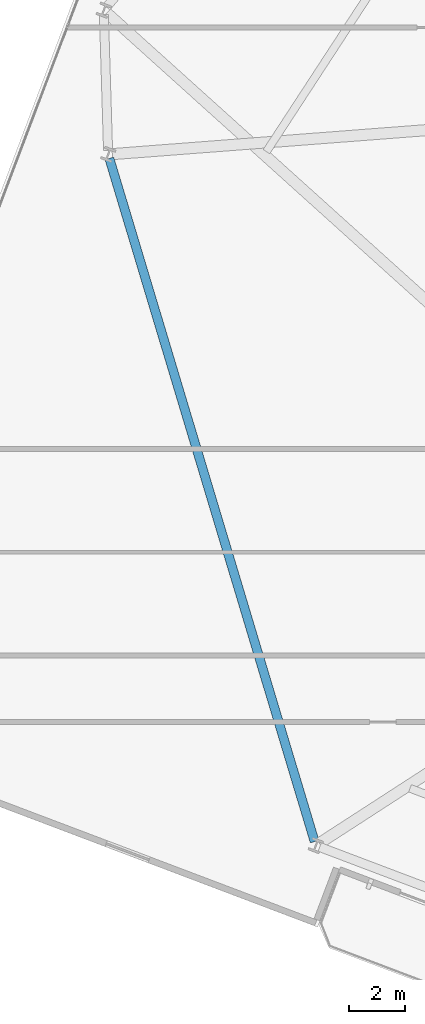
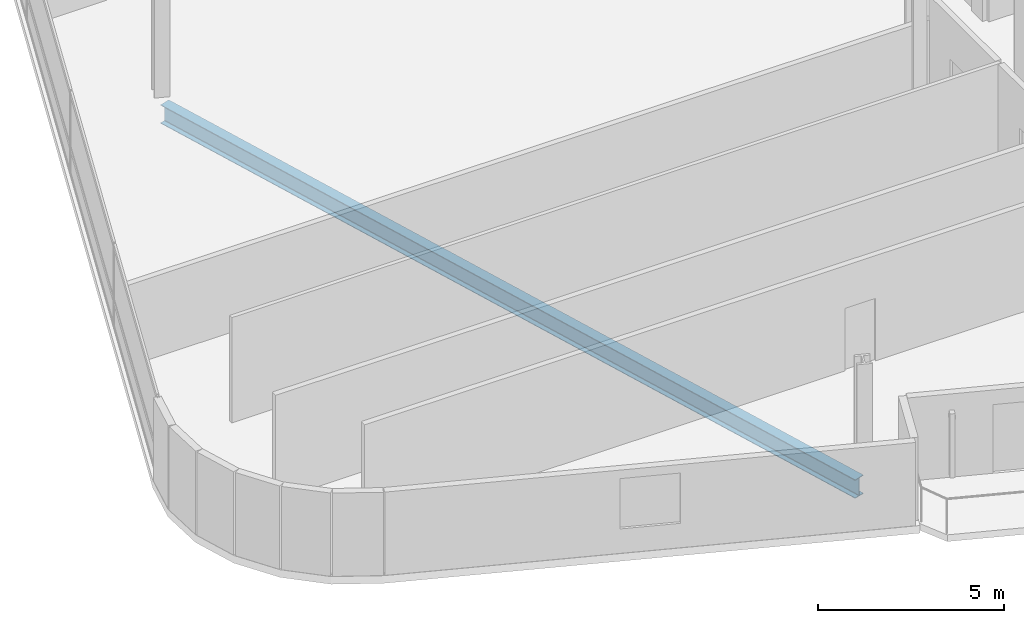
# One storey, part 5 of 24: 1 beam.
"""IFC4 building model written with IfcOpenShell, lengths in metres."""

from ifc_helpers import new_model, si_unit, direction, frame, origin, origin_2d, place, context, subcontext, project, spatial, i_section, extrude, material, material_profile, profile_set, type_object, element, save


model = new_model("IFC4")

# Units and contexts
model_context = context("Model", 3, precision=1e-05, world=origin(), true_north=direction((0.0, 1.0)))
body_context = subcontext(model_context, "Body", "Model", "MODEL_VIEW")
ifc_project = project(units=[si_unit("LENGTHUNIT", "METRE"), si_unit("AREAUNIT", "SQUARE_METRE"), si_unit("VOLUMEUNIT", "CUBIC_METRE"), si_unit("PLANEANGLEUNIT", "RADIAN"), si_unit("MASSUNIT", "GRAM", prefix="KILO")], contexts=[model_context])

# Site, building, storey
site_placement = place(None, origin())
site = spatial("IfcSite", under=ifc_project, at=site_placement, CompositionType="ELEMENT")
building_placement = place(site_placement, origin())
building = spatial("IfcBuilding", under=site, at=building_placement, Name="Varnelok Gate Tower", CompositionType="ELEMENT")
storey_placement = place(building_placement, frame((0.0, 0.0, 102.10009765625)))
storey = spatial("IfcBuildingStorey", under=building, at=storey_placement, Name="L25", CompositionType="ELEMENT", Elevation=102.10009765625)

# Beam
ifc_material = material(Name="Structural Steel ASTM A992 Grade 50", Category="steel")
ifc_material_profile = material_profile(ifc_material, i_section(OverallWidth=0.323974609375, OverallDepth=0.611083984375, WebThickness=0.0126953125, FlangeThickness=0.01904296875, FilletRadius=0.01806640625, at=origin_2d()), Name="W24X104")
ifc_profile_set = profile_set([ifc_material_profile], Name="Structural Steel ASTM A992 Grade 50")
beam_type = type_object("IfcBeamType", Name="BM-SPN-W24X104", PredefinedType="SPANDREL", material=ifc_profile_set)
beam_placement = place(storey_placement, frame((7.124267578125, 37.102294921875, -0.5556640625), z_axis=(0.287734186054, -0.957710310154, 0.0), x_axis=(0.957710310154, 0.287734186054, 0.0)))
element("IfcBeam", 1, at=beam_placement, inside=storey, type_object=beam_type, Name="L25 Perimeter Spandrel Beam 16", PredefinedType="SPANDREL", context=body_context, shape_type="SweptSolid", body=[
    extrude(i_section(OverallWidth=0.323974609375, OverallDepth=0.611083984375, WebThickness=0.0126953125, FlangeThickness=0.01904296875, FilletRadius=0.01806640625, at=origin_2d()), origin(), (0.0, 0.0, 1.0), 25.626220703125),
])

save(model, "model.ifc")
